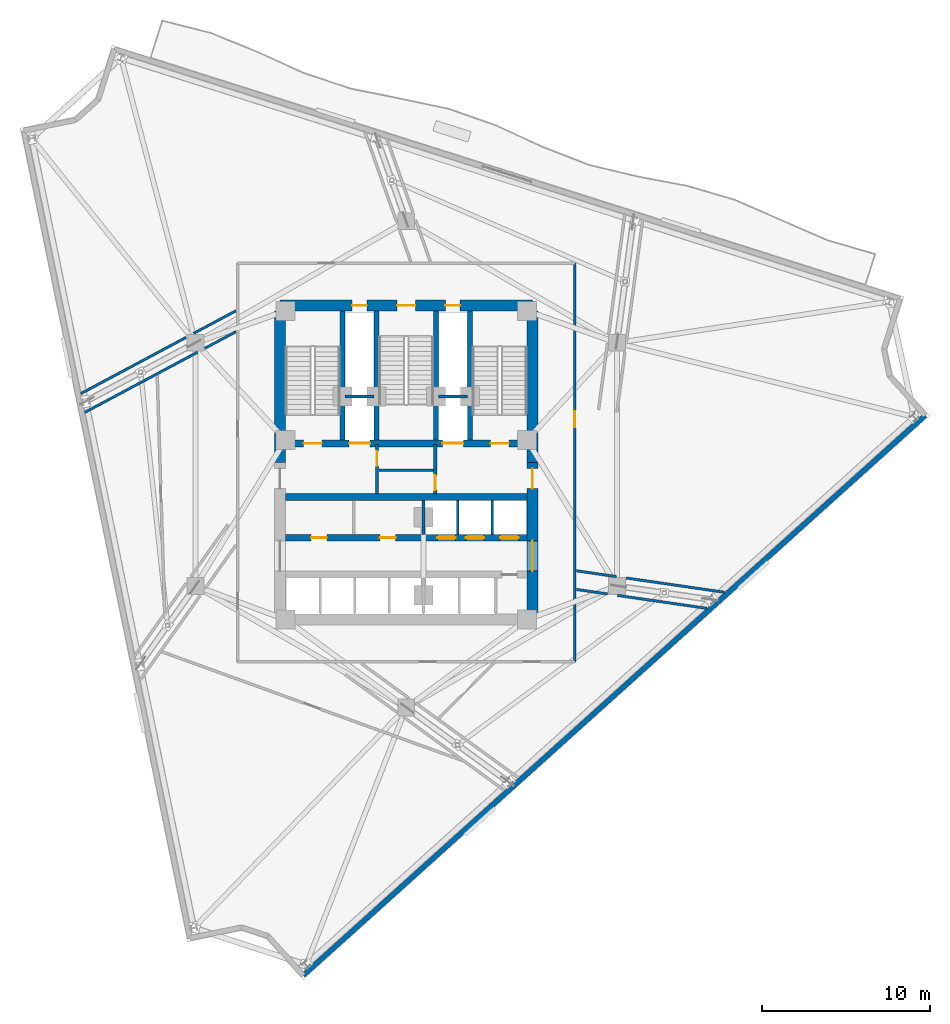
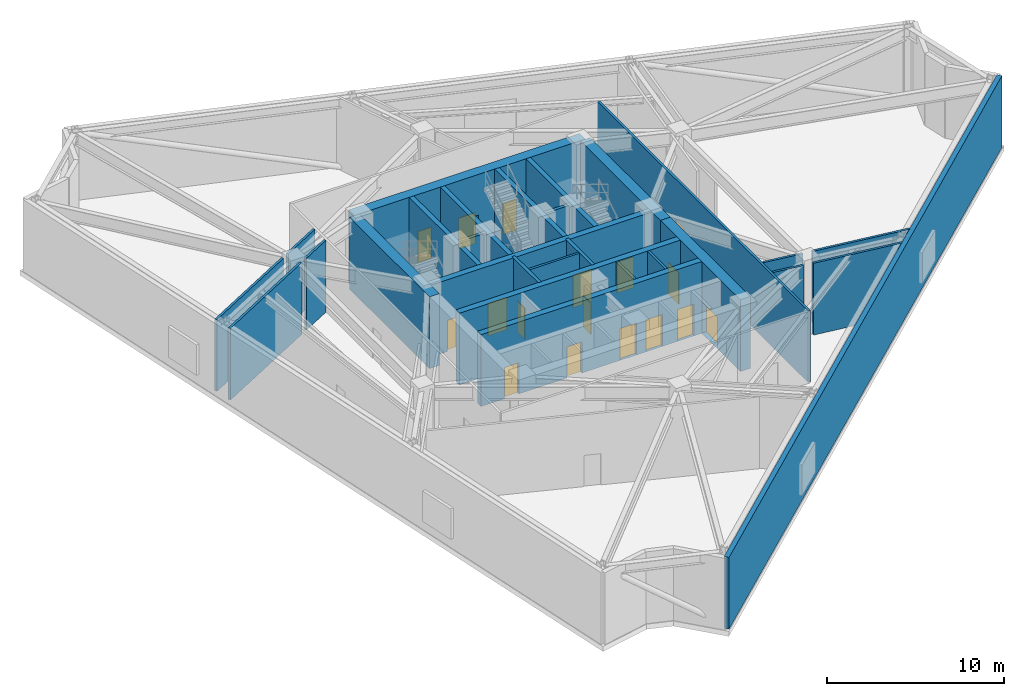
# One storey, part 12 of 16: 29 walls, 17 doors, 17 openings.
"""IFC4 building model written with IfcOpenShell, lengths in metres."""

import ifcopenshell
import ifcopenshell.guid

model = None  # the IFC model being written
_history = None  # IfcOwnerHistory: only IFC2X3 demands one
_inside = {}  # id of a spatial element -> (the spatial element, [elements in it])
_under = {}  # id of a project, library or spatial element -> (it, [spatial elements below it])
_declared = {}  # id of a project -> (the project, [libraries it declares])
_typed = {}  # id of a type object -> (the type object, [elements of that type])
_made_of = {}  # id of a material, layer set ... -> (it, [elements and type objects made of it])


def new_model(schema):
    """Start an empty IFC model of exactly this schema.

    Asked for "IFC4X3", IfcOpenShell would pick the latest addendum, in which some entities
    have other attributes; the version numbers below select the first issue.
    IFC2X3 requires an IfcOwnerHistory on every rooted entity: one is made here for all.
    """
    global model, _history
    if schema == "IFC4X3":
        model = ifcopenshell.file(schema_version=(4, 3, 0, 0))
    else:
        model = ifcopenshell.file(schema=schema)
    _inside.clear()
    _under.clear()
    _declared.clear()
    _typed.clear()
    _made_of.clear()
    _history = None
    if model.schema == "IFC2X3":
        org = make("IfcOrganization", Name="unknown")
        user = make(
            "IfcPersonAndOrganization",
            ThePerson=make("IfcPerson", FamilyName="unknown"),
            TheOrganization=org,
        )
        app = make(
            "IfcApplication",
            ApplicationDeveloper=org,
            Version="unknown",
            ApplicationFullName="unknown",
            ApplicationIdentifier="unknown",
        )
        _history = make(
            "IfcOwnerHistory",
            OwningUser=user,
            OwningApplication=app,
            ChangeAction="ADDED",
            CreationDate=0,
        )
    return model


def make(cls, **values):
    """One entity of the class cls with the attributes given. An attribute that is None is left unset."""
    return model.create_entity(
        cls, **{name: value for name, value in values.items() if value is not None}
    )


def rooted(cls, **values):
    """An entity with a GlobalId (a new one), such as an element, a storey or a relation."""
    return make(cls, GlobalId=ifcopenshell.guid.new(), OwnerHistory=_history, **values)


def si_unit(unit_type, name, prefix=None):
    """IfcSIUnit, for example si_unit("LENGTHUNIT", "METRE", prefix="MILLI")."""
    return make("IfcSIUnit", UnitType=unit_type, Prefix=prefix, Name=name)


def assignment(units):
    """IfcUnitAssignment: the units of a project."""
    return None if units is None else make("IfcUnitAssignment", Units=units)


def point(xyz):
    """IfcCartesianPoint."""
    return None if xyz is None else make("IfcCartesianPoint", Coordinates=xyz)


def direction(xyz):
    """IfcDirection."""
    return None if xyz is None else make("IfcDirection", DirectionRatios=xyz)


def frame(location, z_axis=None, x_axis=None):
    """IfcAxis2Placement3D, a coordinate frame: its origin and axes. An axis left out is left unset."""
    return make(
        "IfcAxis2Placement3D",
        Location=point(location),
        Axis=direction(z_axis),
        RefDirection=direction(x_axis),
    )


def frame_2d(location, x_axis=None):
    """IfcAxis2Placement2D, a coordinate frame in the plane: its origin and x axis."""
    return make(
        "IfcAxis2Placement2D", Location=point(location), RefDirection=direction(x_axis)
    )


def origin():
    """The frame at (0, 0, 0) with its axes left unset."""
    return frame((0.0, 0.0, 0.0))


def place(relative_to, where):
    """IfcLocalPlacement: puts the frame where relative to a parent placement (None: the world)."""
    return make(
        "IfcLocalPlacement", PlacementRelTo=relative_to, RelativePlacement=where
    )


def context(
    kind, dimensions, precision=None, world=None, true_north=None, identifier=None
):
    """IfcGeometricRepresentationContext, for example the 3D "Model" context."""
    return make(
        "IfcGeometricRepresentationContext",
        ContextIdentifier=identifier,
        ContextType=kind,
        CoordinateSpaceDimension=dimensions,
        Precision=precision,
        WorldCoordinateSystem=world,
        TrueNorth=true_north,
    )


def subcontext(parent, identifier, kind, view, scale=None):
    """IfcGeometricRepresentationSubContext, for example "Body" below "Model"."""
    return make(
        "IfcGeometricRepresentationSubContext",
        ContextIdentifier=identifier,
        ContextType=kind,
        ParentContext=parent,
        TargetScale=scale,
        TargetView=view,
    )


def project(units=None, contexts=None):
    """IfcProject with its units and contexts."""
    return rooted(
        "IfcProject",
        Name="project",
        RepresentationContexts=contexts,
        UnitsInContext=assignment(units),
    )


def spatial(cls, under=None, at=None, **own):
    """A site, building, storey or space (cls), placed at a placement, below another one or the project."""
    s = rooted(cls, ObjectPlacement=at, **own)
    if under is not None:
        _under.setdefault(under.id(), (under, []))[1].append(s)
    return s


def profile(cls, at=None, kind="AREA", **sizes):
    """A parametric profile (cls). Its sizes go by their IFC names, for example OverallWidth=200.0."""
    return make(cls, ProfileType=kind, Position=at, **sizes)


def rectangle(**sizes):
    """IfcRectangleProfileDef."""
    return profile("IfcRectangleProfileDef", **sizes)


def extrude(swept, where, along, depth):
    """IfcExtrudedAreaSolid: the profile swept, set in the frame where, extruded along a direction by depth."""
    return make(
        "IfcExtrudedAreaSolid",
        SweptArea=swept,
        Position=where,
        ExtrudedDirection=direction(along),
        Depth=depth,
    )


def shape(context_of_items, identifier, shape_type, items):
    """IfcShapeRepresentation: the items that make up one representation, for example the "Body"."""
    return make(
        "IfcShapeRepresentation",
        ContextOfItems=context_of_items,
        RepresentationIdentifier=identifier,
        RepresentationType=shape_type,
        Items=items,
    )


def material(Name=None, Category=None):
    """IfcMaterial."""
    return make("IfcMaterial", Name=Name, Category=Category)


def layer(
    of_material, thickness, ventilated=None, Name=None, Category=None, Priority=None
):
    """IfcMaterialLayer: one layer of a wall or slab, of a material (None: an air gap)."""
    return make(
        "IfcMaterialLayer",
        Material=of_material,
        LayerThickness=thickness,
        IsVentilated=ventilated,
        Name=Name,
        Category=Category,
        Priority=Priority,
    )


def layer_set(layers, Name=None):
    """IfcMaterialLayerSet."""
    return make("IfcMaterialLayerSet", MaterialLayers=layers, LayerSetName=Name)


def made_of(thing, what):
    """Note that an element or type object is made of a material, layer set ...; save() writes the relation."""
    if what is not None:
        _made_of.setdefault(what.id(), (what, []))[1].append(thing)
    return thing


def type_object(cls, material=None, **own):
    """A type object (cls), such as IfcWallType, which elements share."""
    return made_of(rooted(cls, **own), material)


def element(
    cls,
    number,
    at=None,
    inside=None,
    cuts=None,
    type_object=None,
    material=None,
    context=None,
    identifier="Body",
    shape_type=None,
    held_by="IfcProductDefinitionShape",
    body=None,
    shapes=None,
    **own,
):
    """One element of the class cls, such as IfcWall. Its Tag is "e" and its number.

    at: its placement. inside: the storey or other place that contains it. cuts: it is an
    opening in that element (IfcRelVoidsElement). A single representation is given by context,
    identifier, shape_type and body (its items); several are given by shapes. held_by: the class
    of the entity that holds the representations. save() writes the other relations.
    """
    e = rooted(cls, Tag="e%d" % number, ObjectPlacement=at, **own)
    if body is not None:
        shapes = [shape(context, identifier, shape_type, body)]
    if shapes is not None:
        e.Representation = make(held_by, Representations=shapes)
    if inside is not None:
        _inside.setdefault(inside.id(), (inside, []))[1].append(e)
    if cuts is not None:
        rooted(
            "IfcRelVoidsElement", RelatingBuildingElement=cuts, RelatedOpeningElement=e
        )
    if type_object is not None:
        _typed.setdefault(type_object.id(), (type_object, []))[1].append(e)
    return made_of(e, material)


def fill(opening, filler):
    """IfcRelFillsElement: the door or window that sits in an opening."""
    return rooted(
        "IfcRelFillsElement",
        RelatingOpeningElement=opening,
        RelatedBuildingElement=filler,
    )


def aggregate(whole, parts):
    """IfcRelAggregates: a whole, such as a stair, and the parts it consists of."""
    return rooted("IfcRelAggregates", RelatingObject=whole, RelatedObjects=parts)


def save(model, path):
    """Write the relations noted so far, then the file.

    IfcRelAggregates (storeys below a building ...), IfcRelContainedInSpatialStructure (elements
    in a storey), IfcRelDefinesByType, IfcRelAssociatesMaterial and IfcRelDeclares: one each for
    every whole, place, type object, material and project.
    """
    for whole, parts in _under.values():
        aggregate(whole, parts)
    for where, things in _inside.values():
        rooted(
            "IfcRelContainedInSpatialStructure",
            RelatedElements=things,
            RelatingStructure=where,
        )
    for kind, things in _typed.values():
        rooted("IfcRelDefinesByType", RelatedObjects=things, RelatingType=kind)
    for what, things in _made_of.values():
        rooted("IfcRelAssociatesMaterial", RelatedObjects=things, RelatingMaterial=what)
    for by, libraries in _declared.values():
        rooted("IfcRelDeclares", RelatingContext=by, RelatedDefinitions=libraries)
    model.write(path)


model = new_model("IFC4")

# Units and contexts
model_context = context("Model", 3, precision=1e-05, world=origin(), true_north=direction((0.0, 1.0)))
body_context = subcontext(model_context, "Body", "Model", "MODEL_VIEW")
ifc_project = project(units=[si_unit("LENGTHUNIT", "METRE"), si_unit("AREAUNIT", "SQUARE_METRE"), si_unit("VOLUMEUNIT", "CUBIC_METRE"), si_unit("PLANEANGLEUNIT", "RADIAN"), si_unit("MASSUNIT", "GRAM", prefix="KILO")], contexts=[model_context])

# Site, building, storey
site_placement = place(None, origin())
site = spatial("IfcSite", under=ifc_project, at=site_placement, CompositionType="ELEMENT")
building_placement = place(site_placement, origin())
building = spatial("IfcBuilding", under=site, at=building_placement, Name="Apsidion Concourse Tower", CompositionType="ELEMENT")
storey_placement = place(building_placement, frame((0.0, 0.0, 227.0)))
storey = spatial("IfcBuildingStorey", under=building, at=storey_placement, Name="L53", CompositionType="ELEMENT", Elevation=227.0)

# Walls
ifc_material_1 = material(Name="Precast concrete C40/50", Category="concrete")
ifc_layer_1 = layer(ifc_material_1, 0.300048828125)
ifc_layer_set_1 = layer_set([ifc_layer_1], Name="Precast concrete C40/50")
wall_type_1 = type_object("IfcWallType", Name="WL-EXT-300", PredefinedType="STANDARD", material=ifc_layer_set_1)
wall_1_placement = place(storey_placement, frame((30.9345703125, 2.915771484375, 0.0), z_axis=(0.0, 0.0, 1.0), x_axis=(-0.743143233829, -0.66913237406, 0.0)))
element("IfcWall", 1, at=wall_1_placement, inside=storey, type_object=wall_type_1, Name="L53 Precast Stone Facade Wall 05", PredefinedType="STANDARD", context=body_context, shape_type="SweptSolid", body=[
    extrude(rectangle(XDim=49.8798828125, YDim=0.300048828125, at=frame_2d((24.93994140625, 0.0))), origin(), (0.0, 0.0, 1.0), 4.949951171875),
])
ifc_material_2 = material(Name="Gypsum plasterboard partition")
ifc_layer_2 = layer(ifc_material_2, 0.14990234375)
ifc_layer_set_2 = layer_set([ifc_layer_2], Name="Gypsum plasterboard partition")
wall_type_2 = type_object("IfcWallType", Name="WL-INT-PAR-150", PredefinedType="PARTITIONING", material=ifc_layer_set_2)
for number, where, z_axis, x_axis, name in (
    (2, (3.074951171875, -4.179931640625, 0.0), (0.0, 0.0, 1.0), (0.0, 1.0, 0.0), "L53 Interior Partition WL-L53-B3DIV-1"),
    (3, (5.125, -4.179931640625, 0.0), (0.0, 0.0, 1.0), (0.0, 1.0, 0.0), "L53 Interior Partition WL-L53-B3DIV-2"),
):
    element("IfcWall", number, at=place(storey_placement, frame(where, z_axis=z_axis, x_axis=x_axis)), inside=storey, type_object=wall_type_2, Name=name, PredefinedType="PARTITIONING", context=body_context, shape_type="SweptSolid", body=[
        extrude(rectangle(XDim=2.030029296875, YDim=0.14990234375, at=frame_2d((1.01513671875, 0.0))), origin(), (0.0, 0.0, 1.0), 4.949951171875),
    ])
wall_2_placement = place(storey_placement, frame((-1.6298828125, -0.35009765625, 0.0), z_axis=(0.0, 0.0, 1.0), x_axis=(1.0, 0.0, 0.0)))
element("IfcWall", 4, at=wall_2_placement, inside=storey, type_object=wall_type_2, Name="L53 Interior Partition WL-L53-K2H", PredefinedType="PARTITIONING", context=body_context, shape_type="SweptSolid", body=[
    extrude(rectangle(XDim=3.259765625, YDim=0.14990234375, at=frame_2d((1.6298828125, 0.0))), origin(), (0.0, 0.0, 1.0), 4.949951171875),
])

# Wall, opening, door
wall_3_placement = place(storey_placement, frame((10.050048828125, 12.0, 0.0), z_axis=(0.0, 0.0, 1.0), x_axis=(0.0, -1.0, 0.0)))
wall_3 = element("IfcWall", 5, at=wall_3_placement, inside=storey, type_object=wall_type_2, Name="L53 Interior Partition WL-L53-CORR-02", PredefinedType="PARTITIONING", context=body_context, shape_type="SweptSolid", body=[
    extrude(rectangle(XDim=23.77490234375, YDim=0.14990234375, at=frame_2d((11.887451171875, 0.0))), origin(), (0.0, 0.0, 1.0), 4.949951171875),
])
opening_1_placement = place(wall_3_placement, frame((8.82568359375, 0.0, 0.0)))
opening_1 = element("IfcOpeningElement", 6, at=opening_1_placement, cuts=wall_3, Name="Opening D-01L", PredefinedType="OPENING", context=body_context, shape_type="SweptSolid", body=[
    extrude(rectangle(XDim=0.949951171875, YDim=2.14990234375, at=frame_2d((0.47509765625, 1.074951171875))), frame((0.0, 0.0849609375, 0.0), z_axis=(0.0, -1.0, 0.0), x_axis=(1.0, 0.0, 0.0)), (0.0, 0.0, 1.0), 0.169921875),
])
ifc_material_3 = material(Name="Brushed stainless steel 316", Category="steel")
door_type_1 = type_object("IfcDoorType", Name="DR-INT-D01L", OperationType="SINGLE_SWING_LEFT", PredefinedType="DOOR", material=ifc_material_3)
door_1_placement = place(opening_1_placement, origin())
door_1 = element("IfcDoor", 7, at=door_1_placement, inside=storey, type_object=door_type_1, Name="L53 Corridor Entry Door 01", OperationType="SINGLE_SWING_LEFT", OverallHeight=2.14990234375, OverallWidth=0.949951171875, PredefinedType="DOOR", context=body_context, shape_type="SweptSolid", body=[
    extrude(rectangle(XDim=0.949951171875, YDim=2.14990234375, at=frame_2d((0.47509765625, 1.074951171875))), frame((0.0, 0.02490234375, 0.0), z_axis=(0.0, -1.0, 0.0), x_axis=(1.0, 0.0, 0.0)), (0.0, 0.0, 1.0), 0.050048828125),
])
fill(opening_1, door_1)

# Walls
wall_4_placement = place(storey_placement, frame((10.155029296875, -7.45703125, 0.0), z_axis=(0.0, 0.0, 1.0), x_axis=(0.989646046066, -0.143529451699, 0.0)))
element("IfcWall", 8, at=wall_4_placement, inside=storey, type_object=wall_type_2, Name="L53 Interior Partition WL-L53-OTW-02-1-1", PredefinedType="PARTITIONING", context=body_context, shape_type="SweptSolid", body=[
    extrude(rectangle(XDim=1.8642578125, YDim=0.14990234375, at=frame_2d((0.93212890625, 0.0))), origin(), (0.0, 0.0, 1.0), 4.949951171875),
])
wall_5_placement = place(storey_placement, frame((12.589111328125, -7.81005859375, 0.0), z_axis=(0.0, 0.0, 1.0), x_axis=(0.989648935922, -0.143509524521, 0.0)))
element("IfcWall", 9, at=wall_5_placement, inside=storey, type_object=wall_type_2, Name="L53 Interior Partition WL-L53-OTW-02-1-2", PredefinedType="PARTITIONING", context=body_context, shape_type="SweptSolid", body=[
    extrude(rectangle(XDim=5.38427734375, YDim=0.14990234375, at=frame_2d((2.692138671875, 0.0))), origin(), (0.0, 0.0, 1.0), 4.949951171875),
])
wall_6_placement = place(storey_placement, frame((10.155029296875, -6.345703125, 0.0), z_axis=(0.0, 0.0, 1.0), x_axis=(0.989662691314, -0.14341463461, 0.0)))
element("IfcWall", 10, at=wall_6_placement, inside=storey, type_object=wall_type_2, Name="L53 Interior Partition WL-L53-OTW-02-2-1", PredefinedType="PARTITIONING", context=body_context, shape_type="SweptSolid", body=[
    extrude(rectangle(XDim=2.400390625, YDim=0.14990234375, at=frame_2d((1.2001953125, 0.0))), origin(), (0.0, 0.0, 1.0), 4.949951171875),
])
wall_7_placement = place(storey_placement, frame((13.1201171875, -6.775390625, 0.0), z_axis=(0.0, 0.0, 1.0), x_axis=(0.989649655909, -0.143504559369, 0.0)))
element("IfcWall", 11, at=wall_7_placement, inside=storey, type_object=wall_type_2, Name="L53 Interior Partition WL-L53-OTW-02-2-2", PredefinedType="PARTITIONING", context=body_context, shape_type="SweptSolid", body=[
    extrude(rectangle(XDim=5.922119140625, YDim=0.14990234375, at=frame_2d((2.9609375, 0.0))), origin(), (0.0, 0.0, 1.0), 4.949951171875),
])
wall_8_placement = place(storey_placement, frame((-10.155029296875, 9.157470703125, 0.0), z_axis=(0.0, 0.0, 1.0), x_axis=(-0.882161535743, -0.470946944841, 0.0)))
element("IfcWall", 12, at=wall_8_placement, inside=storey, type_object=wall_type_2, Name="L53 Interior Partition WL-L53-OTW-05-1-1", PredefinedType="PARTITIONING", context=body_context, shape_type="SweptSolid", body=[
    extrude(rectangle(XDim=2.861083984375, YDim=0.14990234375, at=frame_2d((1.4306640625, 0.0))), origin(), (0.0, 0.0, 1.0), 4.949951171875),
])
wall_9_placement = place(storey_placement, frame((-13.1201171875, 7.574462890625, 0.0), z_axis=(0.0, 0.0, 1.0), x_axis=(-0.882138305837, -0.470990455715, 0.0)))
element("IfcWall", 13, at=wall_9_placement, inside=storey, type_object=wall_type_2, Name="L53 Interior Partition WL-L53-OTW-05-1-2", PredefinedType="PARTITIONING", context=body_context, shape_type="SweptSolid", body=[
    extrude(rectangle(XDim=7.119140625, YDim=0.14990234375, at=frame_2d((3.5595703125, 0.0))), origin(), (0.0, 0.0, 1.0), 4.949951171875),
])
wall_10_placement = place(storey_placement, frame((-10.155029296875, 7.910400390625, 0.0), z_axis=(0.0, 0.0, 1.0), x_axis=(-0.882178381535, -0.470915388529, 0.0)))
element("IfcWall", 14, at=wall_10_placement, inside=storey, type_object=wall_type_2, Name="L53 Interior Partition WL-L53-OTW-05-2-1", PredefinedType="PARTITIONING", context=body_context, shape_type="SweptSolid", body=[
    extrude(rectangle(XDim=2.09130859375, YDim=0.14990234375, at=frame_2d((1.045654296875, 0.0))), origin(), (0.0, 0.0, 1.0), 4.949951171875),
])
wall_11_placement = place(storey_placement, frame((-12.441162109375, 6.68994140625, 0.0), z_axis=(0.0, 0.0, 1.0), x_axis=(-0.882148167076, -0.47097198571, 0.0)))
element("IfcWall", 15, at=wall_11_placement, inside=storey, type_object=wall_type_2, Name="L53 Interior Partition WL-L53-OTW-05-2-2", PredefinedType="PARTITIONING", context=body_context, shape_type="SweptSolid", body=[
    extrude(rectangle(XDim=7.626953125, YDim=0.14990234375, at=frame_2d((3.8134765625, 0.0))), origin(), (0.0, 0.0, 1.0), 4.949951171875),
])
ifc_layer_3 = layer(ifc_material_2, 0.179931640625)
ifc_layer_set_3 = layer_set([ifc_layer_3], Name="Gypsum plasterboard partition")
wall_type_3 = type_object("IfcWallType", Name="WL-INT-PAR-180", PredefinedType="PARTITIONING", material=ifc_layer_set_3)
wall_12_placement = place(storey_placement, frame((1.02490234375, -4.179931640625, 0.0), z_axis=(0.0, 0.0, 1.0), x_axis=(0.0, 1.0, 0.0)))
element("IfcWall", 16, at=wall_12_placement, inside=storey, type_object=wall_type_3, Name="L53 Interior Partition WL-L53-B1END", PredefinedType="PARTITIONING", context=body_context, shape_type="SweptSolid", body=[
    extrude(rectangle(XDim=2.030029296875, YDim=0.179931640625, at=frame_2d((1.01513671875, 0.0))), origin(), (0.0, 0.0, 1.0), 3.998046875),
])
ifc_layer_4 = layer(ifc_material_2, 0.199951171875)
ifc_layer_set_4 = layer_set([ifc_layer_4], Name="Gypsum plasterboard partition")
wall_type_4 = type_object("IfcWallType", Name="WL-INT-PAR-200", PredefinedType="PARTITIONING", material=ifc_layer_set_4)
for number, where, z_axis, x_axis, name in (
    (17, (-3.64990234375, 4.050048828125, 0.0), (0.0, 0.0, 1.0), (1.0, 0.0, 0.0), "L53 Interior Partition WL-L53-FF1-N"),
    (18, (1.919921875, 4.050048828125, 0.0), (0.0, 0.0, 1.0), (1.0, 0.0, 0.0), "L53 Interior Partition WL-L53-FF2-N"),
):
    element("IfcWall", number, at=place(storey_placement, frame(where, z_axis=z_axis, x_axis=x_axis)), inside=storey, type_object=wall_type_4, Name=name, PredefinedType="PARTITIONING", context=body_context, shape_type="SweptSolid", body=[
        extrude(rectangle(XDim=1.72998046875, YDim=0.199951171875, at=frame_2d((0.864990234375, 0.0))), origin(), (0.0, 0.0, 1.0), 4.949951171875),
    ])

# Wall, opening, door
wall_13_placement = place(storey_placement, frame((-1.739990234375, -1.780029296875, 0.0), z_axis=(0.0, 0.0, 1.0), x_axis=(0.0, 1.0, 0.0)))
wall_13 = element("IfcWall", 19, at=wall_13_placement, inside=storey, type_object=wall_type_4, Name="L53 Interior Partition WL-L53-FF1-E", PredefinedType="PARTITIONING", context=body_context, shape_type="SweptSolid", body=[
    extrude(rectangle(XDim=2.97998046875, YDim=0.199951171875, at=frame_2d((1.489990234375, 0.0))), origin(), (0.0, 0.0, 1.0), 4.949951171875),
])
opening_2_placement = place(wall_13_placement, frame((1.68994140625, 0.0, 0.0)))
opening_2 = element("IfcOpeningElement", 20, at=opening_2_placement, cuts=wall_13, Name="Opening D-05L", PredefinedType="OPENING", context=body_context, shape_type="SweptSolid", body=[
    extrude(rectangle(XDim=0.8798828125, YDim=2.14990234375, at=frame_2d((0.43994140625, 1.074951171875))), frame((0.0, 0.10986328125, 0.0), z_axis=(0.0, -1.0, 0.0), x_axis=(1.0, 0.0, 0.0)), (0.0, 0.0, 1.0), 0.219970703125),
])
door_type_2 = type_object("IfcDoorType", Name="DR-INT-D05L", OperationType="SINGLE_SWING_LEFT", PredefinedType="DOOR", material=ifc_material_3)
door_2_placement = place(opening_2_placement, origin())
door_2 = element("IfcDoor", 21, at=door_2_placement, inside=storey, type_object=door_type_2, Name="L53 Core Staff WC Door", OperationType="SINGLE_SWING_LEFT", OverallHeight=2.14990234375, OverallWidth=0.8798828125, PredefinedType="DOOR", context=body_context, shape_type="SweptSolid", body=[
    extrude(rectangle(XDim=0.8798828125, YDim=2.14990234375, at=frame_2d((0.43994140625, 1.074951171875))), frame((0.0, 0.02490234375, 0.0), z_axis=(0.0, -1.0, 0.0), x_axis=(1.0, 0.0, 0.0)), (0.0, 0.0, 1.0), 0.050048828125),
])
fill(opening_2, door_2)

wall_14_placement = place(storey_placement, frame((1.739990234375, -1.780029296875, 0.0), z_axis=(0.0, 0.0, 1.0), x_axis=(0.0, 1.0, 0.0)))
wall_14 = element("IfcWall", 22, at=wall_14_placement, inside=storey, type_object=wall_type_4, Name="L53 Interior Partition WL-L53-FF2-W", PredefinedType="PARTITIONING", context=body_context, shape_type="SweptSolid", body=[
    extrude(rectangle(XDim=2.97998046875, YDim=0.199951171875, at=frame_2d((1.489990234375, 0.0))), origin(), (0.0, 0.0, 1.0), 4.949951171875),
])
opening_3_placement = place(wall_14_placement, frame((0.239990234375, 0.0, 0.0)))
opening_3 = element("IfcOpeningElement", 23, at=opening_3_placement, cuts=wall_14, Name="Opening D-05R", PredefinedType="OPENING", context=body_context, shape_type="SweptSolid", body=[
    extrude(rectangle(XDim=0.8798828125, YDim=2.14990234375, at=frame_2d((0.43994140625, 1.074951171875))), frame((0.0, 0.10986328125, 0.0), z_axis=(0.0, -1.0, 0.0), x_axis=(1.0, 0.0, 0.0)), (0.0, 0.0, 1.0), 0.219970703125),
])
door_type_3 = type_object("IfcDoorType", Name="DR-INT-D05R", OperationType="SINGLE_SWING_RIGHT", PredefinedType="DOOR", material=ifc_material_3)
door_3_placement = place(opening_3_placement, origin())
door_3 = element("IfcDoor", 24, at=door_3_placement, inside=storey, type_object=door_type_3, Name="L53 Core Supply Store Door", OperationType="SINGLE_SWING_RIGHT", OverallHeight=2.14990234375, OverallWidth=0.8798828125, PredefinedType="DOOR", context=body_context, shape_type="SweptSolid", body=[
    extrude(rectangle(XDim=0.8798828125, YDim=2.14990234375, at=frame_2d((0.43994140625, 1.074951171875))), frame((0.0, 0.02490234375, 0.0), z_axis=(0.0, -1.0, 0.0), x_axis=(1.0, 0.0, 0.0)), (0.0, 0.0, 1.0), 0.050048828125),
])
fill(opening_3, door_3)

# Walls
ifc_material_4 = material(Name="Concrete C50/60", Category="concrete")
ifc_layer_5 = layer(ifc_material_4, 0.300048828125)
ifc_layer_set_5 = layer_set([ifc_layer_5], Name="Concrete C50/60")
wall_type_5 = type_object("IfcWallType", Name="WL-SH-300", PredefinedType="SHEAR", material=ifc_layer_set_5)
for number, where, z_axis, x_axis, name in (
    (25, (-3.800048828125, 1.449951171875, 0.0), (0.0, 0.0, 1.0), (0.0, 1.0, 0.0), "L53 Central Core Shear Wall V1"),
    (26, (-1.77490234375, 1.449951171875, 0.0), (0.0, 0.0, 1.0), (0.0, 1.0, 0.0), "L53 Central Core Shear Wall V2"),
    (27, (1.77490234375, 1.449951171875, 0.0), (0.0, 0.0, 1.0), (0.0, 1.0, 0.0), "L53 Central Core Shear Wall V3"),
    (28, (3.800048828125, 1.449951171875, 0.0), (0.0, 0.0, 1.0), (0.0, 1.0, 0.0), "L53 Central Core Shear Wall V4"),
):
    element("IfcWall", number, at=place(storey_placement, frame(where, z_axis=z_axis, x_axis=x_axis)), inside=storey, type_object=wall_type_5, Name=name, PredefinedType="SHEAR", context=body_context, shape_type="SweptSolid", body=[
        extrude(rectangle(XDim=7.699951171875, YDim=0.300048828125, at=frame_2d((3.85009765625, 0.0))), origin(), (0.0, 0.0, 1.0), 4.949951171875),
    ])

# Wall, openings, doors
ifc_layer_6 = layer(ifc_material_4, 0.39990234375)
ifc_layer_set_6 = layer_set([ifc_layer_6], Name="Concrete C50/60")
wall_type_6 = type_object("IfcWallType", Name="WL-SH-400", PredefinedType="SHEAR", material=ifc_layer_set_6)
wall_15_placement = place(storey_placement, frame((-7.199951171875, 1.25, 0.0), z_axis=(0.0, 0.0, 1.0), x_axis=(1.0, 0.0, 0.0)))
wall_15 = element("IfcWall", 29, at=wall_15_placement, inside=storey, type_object=wall_type_6, Name="L53 Central Core Shear Wall M1", PredefinedType="SHEAR", context=body_context, shape_type="SweptSolid", body=[
    extrude(rectangle(XDim=14.39990234375, YDim=0.39990234375, at=frame_2d((7.199951171875, 0.0))), origin(), (0.0, 0.0, 1.0), 4.949951171875),
])
opening_4_placement = place(wall_15_placement, frame((3.794921875, 0.0, 0.0)))
opening_4 = element("IfcOpeningElement", 30, at=opening_4_placement, cuts=wall_15, Name="Opening LD-FF", PredefinedType="OPENING", context=body_context, shape_type="SweptSolid", body=[
    extrude(rectangle(XDim=1.25, YDim=2.25, at=frame_2d((0.625, 1.125))), frame((0.0, 0.2099609375, 0.0), z_axis=(0.0, -1.0, 0.0), x_axis=(1.0, 0.0, 0.0)), (0.0, 0.0, 1.0), 0.419921875),
])
opening_5_placement = place(wall_15_placement, frame((9.35498046875, 0.0, 0.0)))
opening_5 = element("IfcOpeningElement", 31, at=opening_5_placement, cuts=wall_15, Name="Opening LD-FF", PredefinedType="OPENING", context=body_context, shape_type="SweptSolid", body=[
    extrude(rectangle(XDim=1.25, YDim=2.25, at=frame_2d((0.625, 1.125))), frame((0.0, 0.2099609375, 0.0), z_axis=(0.0, -1.0, 0.0), x_axis=(1.0, 0.0, 0.0)), (0.0, 0.0, 1.0), 0.419921875),
])
opening_6_placement = place(wall_15_placement, frame((1.074951171875, 0.0, 0.0)))
opening_6 = element("IfcOpeningElement", 32, at=opening_6_placement, cuts=wall_15, Name="Opening D-STL", PredefinedType="OPENING", context=body_context, shape_type="SweptSolid", body=[
    extrude(rectangle(XDim=1.10009765625, YDim=2.14990234375, at=frame_2d((0.550048828125, 1.074951171875))), frame((0.0, 0.2099609375, 0.0), z_axis=(0.0, -1.0, 0.0), x_axis=(1.0, 0.0, 0.0)), (0.0, 0.0, 1.0), 0.419921875),
])
opening_7_placement = place(wall_15_placement, frame((12.22509765625, 0.0, 0.0)))
opening_7 = element("IfcOpeningElement", 33, at=opening_7_placement, cuts=wall_15, Name="Opening D-STR", PredefinedType="OPENING", context=body_context, shape_type="SweptSolid", body=[
    extrude(rectangle(XDim=1.10009765625, YDim=2.14990234375, at=frame_2d((0.550048828125, 1.074951171875))), frame((0.0, 0.2099609375, 0.0), z_axis=(0.0, -1.0, 0.0), x_axis=(1.0, 0.0, 0.0)), (0.0, 0.0, 1.0), 0.419921875),
])
door_type_4 = type_object("IfcDoorType", Name="DR-INT-ST1L", OperationType="SINGLE_SWING_LEFT", PredefinedType="DOOR", material=ifc_material_3)
door_4_placement = place(opening_6_placement, origin())
door_4 = element("IfcDoor", 34, at=door_4_placement, inside=storey, type_object=door_type_4, Name="L53 Core Exit Stair ST1 Door", OperationType="SINGLE_SWING_LEFT", OverallHeight=2.14990234375, OverallWidth=1.10009765625, PredefinedType="DOOR", context=body_context, shape_type="SweptSolid", body=[
    extrude(rectangle(XDim=1.10009765625, YDim=2.14990234375, at=frame_2d((0.550048828125, 1.074951171875))), frame((0.0, 0.02490234375, 0.0), z_axis=(0.0, -1.0, 0.0), x_axis=(1.0, 0.0, 0.0)), (0.0, 0.0, 1.0), 0.050048828125),
])
fill(opening_6, door_4)
door_type_5 = type_object("IfcDoorType", Name="DR-INT-ST1R", OperationType="SINGLE_SWING_RIGHT", PredefinedType="DOOR", material=ifc_material_3)
door_5_placement = place(opening_7_placement, origin())
door_5 = element("IfcDoor", 35, at=door_5_placement, inside=storey, type_object=door_type_5, Name="L53 Core Exit Stair ST2 Door", OperationType="SINGLE_SWING_RIGHT", OverallHeight=2.14990234375, OverallWidth=1.10009765625, PredefinedType="DOOR", context=body_context, shape_type="SweptSolid", body=[
    extrude(rectangle(XDim=1.10009765625, YDim=2.14990234375, at=frame_2d((0.550048828125, 1.074951171875))), frame((0.0, 0.02490234375, 0.0), z_axis=(0.0, -1.0, 0.0), x_axis=(1.0, 0.0, 0.0)), (0.0, 0.0, 1.0), 0.050048828125),
])
fill(opening_7, door_5)
door_type_6 = type_object("IfcDoorType", Name="DR-LD-FSAE", OperationType="DOUBLE_DOOR_SLIDING", PredefinedType="DOOR", material=ifc_material_3)
door_6_placement = place(opening_4_placement, origin())
door_6 = element("IfcDoor", 36, at=door_6_placement, inside=storey, type_object=door_type_6, Name="L53 Lift Landing Door FF1", OperationType="DOUBLE_DOOR_SLIDING", OverallHeight=2.25, OverallWidth=1.25, PredefinedType="DOOR", context=body_context, shape_type="SweptSolid", body=[
    extrude(rectangle(XDim=1.25, YDim=2.25, at=frame_2d((0.625, 1.125))), frame((0.0, 0.02490234375, 0.0), z_axis=(0.0, -1.0, 0.0), x_axis=(1.0, 0.0, 0.0)), (0.0, 0.0, 1.0), 0.050048828125),
])
fill(opening_4, door_6)
door_7_placement = place(opening_5_placement, origin())
door_7 = element("IfcDoor", 37, at=door_7_placement, inside=storey, type_object=door_type_6, Name="L53 Lift Landing Door FF2", OperationType="DOUBLE_DOOR_SLIDING", OverallHeight=2.25, OverallWidth=1.25, PredefinedType="DOOR", context=body_context, shape_type="SweptSolid", body=[
    extrude(rectangle(XDim=1.25, YDim=2.25, at=frame_2d((0.625, 1.125))), frame((0.0, 0.02490234375, 0.0), z_axis=(0.0, -1.0, 0.0), x_axis=(1.0, 0.0, 0.0)), (0.0, 0.0, 1.0), 0.050048828125),
])
fill(opening_5, door_7)

# Wall
wall_16_placement = place(storey_placement, frame((-7.199951171875, -1.949951171875, 0.0), z_axis=(0.0, 0.0, 1.0), x_axis=(1.0, 0.0, 0.0)))
element("IfcWall", 38, at=wall_16_placement, inside=storey, type_object=wall_type_6, Name="L53 Central Core Shear Wall M2", PredefinedType="SHEAR", context=body_context, shape_type="SweptSolid", body=[
    extrude(rectangle(XDim=14.39990234375, YDim=0.39990234375, at=frame_2d((7.199951171875, 0.0))), origin(), (0.0, 0.0, 1.0), 4.949951171875),
])

# Wall, openings, doors
wall_17_placement = place(storey_placement, frame((-7.199951171875, -4.3798828125, 0.0), z_axis=(0.0, 0.0, 1.0), x_axis=(1.0, 0.0, 0.0)))
wall_17 = element("IfcWall", 39, at=wall_17_placement, inside=storey, type_object=wall_type_6, Name="L53 Central Core Shear Wall LA", PredefinedType="SHEAR", context=body_context, shape_type="SweptSolid", body=[
    extrude(rectangle(XDim=14.39990234375, YDim=0.39990234375, at=frame_2d((7.199951171875, 0.0))), origin(), (0.0, 0.0, 1.0), 4.949951171875),
])
opening_8_placement = place(wall_17_placement, frame((9.050048828125, 0.0, 0.0)))
opening_8 = element("IfcOpeningElement", 40, at=opening_8_placement, cuts=wall_17, Name="Opening LD-P1", PredefinedType="OPENING", context=body_context, shape_type="SweptSolid", body=[
    extrude(rectangle(XDim=1.10009765625, YDim=2.199951171875, at=frame_2d((0.550048828125, 1.10009765625))), frame((0.0, 0.2099609375, 0.0), z_axis=(0.0, -1.0, 0.0), x_axis=(1.0, 0.0, 0.0)), (0.0, 0.0, 1.0), 0.419921875),
])
opening_9_placement = place(wall_17_placement, frame((10.75, 0.0, 0.0)))
opening_9 = element("IfcOpeningElement", 41, at=opening_9_placement, cuts=wall_17, Name="Opening LD-P1", PredefinedType="OPENING", context=body_context, shape_type="SweptSolid", body=[
    extrude(rectangle(XDim=1.10009765625, YDim=2.199951171875, at=frame_2d((0.550048828125, 1.10009765625))), frame((0.0, 0.2099609375, 0.0), z_axis=(0.0, -1.0, 0.0), x_axis=(1.0, 0.0, 0.0)), (0.0, 0.0, 1.0), 0.419921875),
])
opening_10_placement = place(wall_17_placement, frame((12.800048828125, 0.0, 0.0)))
opening_10 = element("IfcOpeningElement", 42, at=opening_10_placement, cuts=wall_17, Name="Opening LD-P1", PredefinedType="OPENING", context=body_context, shape_type="SweptSolid", body=[
    extrude(rectangle(XDim=1.10009765625, YDim=2.199951171875, at=frame_2d((0.550048828125, 1.10009765625))), frame((0.0, 0.2099609375, 0.0), z_axis=(0.0, -1.0, 0.0), x_axis=(1.0, 0.0, 0.0)), (0.0, 0.0, 1.0), 0.419921875),
])
opening_11_placement = place(wall_17_placement, frame((1.52490234375, 0.0, 0.0)))
opening_11 = element("IfcOpeningElement", 43, at=opening_11_placement, cuts=wall_17, Name="Opening D-04L", PredefinedType="OPENING", context=body_context, shape_type="SweptSolid", body=[
    extrude(rectangle(XDim=0.949951171875, YDim=2.14990234375, at=frame_2d((0.47509765625, 1.074951171875))), frame((0.0, 0.2099609375, 0.0), z_axis=(0.0, -1.0, 0.0), x_axis=(1.0, 0.0, 0.0)), (0.0, 0.0, 1.0), 0.419921875),
])
opening_12_placement = place(wall_17_placement, frame((5.625, 0.0, 0.0)))
opening_12 = element("IfcOpeningElement", 44, at=opening_12_placement, cuts=wall_17, Name="Opening D-04R", PredefinedType="OPENING", context=body_context, shape_type="SweptSolid", body=[
    extrude(rectangle(XDim=0.949951171875, YDim=2.14990234375, at=frame_2d((0.47509765625, 1.074951171875))), frame((0.0, 0.2099609375, 0.0), z_axis=(0.0, -1.0, 0.0), x_axis=(1.0, 0.0, 0.0)), (0.0, 0.0, 1.0), 0.419921875),
])
door_type_7 = type_object("IfcDoorType", Name="DR-INT-D04L", OperationType="SINGLE_SWING_LEFT", PredefinedType="DOOR", material=ifc_material_3)
door_8_placement = place(opening_11_placement, origin())
door_8 = element("IfcDoor", 45, at=door_8_placement, inside=storey, type_object=door_type_7, Name="L53 Tenant Archive Room West Door", OperationType="SINGLE_SWING_LEFT", OverallHeight=2.14990234375, OverallWidth=0.949951171875, PredefinedType="DOOR", context=body_context, shape_type="SweptSolid", body=[
    extrude(rectangle(XDim=0.949951171875, YDim=2.14990234375, at=frame_2d((0.47509765625, 1.074951171875))), frame((0.0, 0.02490234375, 0.0), z_axis=(0.0, -1.0, 0.0), x_axis=(1.0, 0.0, 0.0)), (0.0, 0.0, 1.0), 0.050048828125),
])
fill(opening_11, door_8)
door_type_8 = type_object("IfcDoorType", Name="DR-INT-D04R", OperationType="SINGLE_SWING_RIGHT", PredefinedType="DOOR", material=ifc_material_3)
door_9_placement = place(opening_12_placement, origin())
door_9 = element("IfcDoor", 46, at=door_9_placement, inside=storey, type_object=door_type_8, Name="L53 Core Print and Copy Room Door", OperationType="SINGLE_SWING_RIGHT", OverallHeight=2.14990234375, OverallWidth=0.949951171875, PredefinedType="DOOR", context=body_context, shape_type="SweptSolid", body=[
    extrude(rectangle(XDim=0.949951171875, YDim=2.14990234375, at=frame_2d((0.47509765625, 1.074951171875))), frame((0.0, 0.02490234375, 0.0), z_axis=(0.0, -1.0, 0.0), x_axis=(1.0, 0.0, 0.0)), (0.0, 0.0, 1.0), 0.050048828125),
])
fill(opening_12, door_9)
door_type_9 = type_object("IfcDoorType", Name="DR-LD-PASS", OperationType="DOUBLE_DOOR_SLIDING", PredefinedType="DOOR", material=ifc_material_3)
door_10_placement = place(opening_8_placement, origin())
door_10 = element("IfcDoor", 47, at=door_10_placement, inside=storey, type_object=door_type_9, Name="L53 Lift Landing Door P9", OperationType="DOUBLE_DOOR_SLIDING", OverallHeight=2.199951171875, OverallWidth=1.10009765625, PredefinedType="DOOR", context=body_context, shape_type="SweptSolid", body=[
    extrude(rectangle(XDim=1.10009765625, YDim=2.199951171875, at=frame_2d((0.550048828125, 1.10009765625))), frame((0.0, 0.02490234375, 0.0), z_axis=(0.0, -1.0, 0.0), x_axis=(1.0, 0.0, 0.0)), (0.0, 0.0, 1.0), 0.050048828125),
])
fill(opening_8, door_10)
door_11_placement = place(opening_9_placement, origin())
door_11 = element("IfcDoor", 48, at=door_11_placement, inside=storey, type_object=door_type_9, Name="L53 Lift Landing Door P10", OperationType="DOUBLE_DOOR_SLIDING", OverallHeight=2.199951171875, OverallWidth=1.10009765625, PredefinedType="DOOR", context=body_context, shape_type="SweptSolid", body=[
    extrude(rectangle(XDim=1.10009765625, YDim=2.199951171875, at=frame_2d((0.550048828125, 1.10009765625))), frame((0.0, 0.02490234375, 0.0), z_axis=(0.0, -1.0, 0.0), x_axis=(1.0, 0.0, 0.0)), (0.0, 0.0, 1.0), 0.050048828125),
])
fill(opening_9, door_11)
door_12_placement = place(opening_10_placement, origin())
door_12 = element("IfcDoor", 49, at=door_12_placement, inside=storey, type_object=door_type_9, Name="L53 Lift Landing Door P11", OperationType="DOUBLE_DOOR_SLIDING", OverallHeight=2.199951171875, OverallWidth=1.10009765625, PredefinedType="DOOR", context=body_context, shape_type="SweptSolid", body=[
    extrude(rectangle(XDim=1.10009765625, YDim=2.199951171875, at=frame_2d((0.550048828125, 1.10009765625))), frame((0.0, 0.02490234375, 0.0), z_axis=(0.0, -1.0, 0.0), x_axis=(1.0, 0.0, 0.0)), (0.0, 0.0, 1.0), 0.050048828125),
])
fill(opening_10, door_12)

ifc_layer_7 = layer(ifc_material_4, 0.64990234375)
ifc_layer_set_7 = layer_set([ifc_layer_7], Name="Concrete C50/60")
wall_type_7 = type_object("IfcWallType", Name="WL-SH-650", PredefinedType="SHEAR", material=ifc_layer_set_7)
wall_18_placement = place(storey_placement, frame((-7.52490234375, 9.47509765625, 0.0), z_axis=(0.0, 0.0, 1.0), x_axis=(1.0, 0.0, 0.0)))
wall_18 = element("IfcWall", 50, at=wall_18_placement, inside=storey, type_object=wall_type_7, Name="L53 Central Core Shear Wall N", PredefinedType="SHEAR", context=body_context, shape_type="SweptSolid", body=[
    extrude(rectangle(XDim=15.0498046875, YDim=0.64990234375, at=frame_2d((7.52490234375, 0.0))), origin(), (0.0, 0.0, 1.0), 4.949951171875),
])
opening_13_placement = place(wall_18_placement, frame((6.97509765625, 0.0, 0.0)))
opening_13 = element("IfcOpeningElement", 51, at=opening_13_placement, cuts=wall_18, Name="Opening D-STL", PredefinedType="OPENING", context=body_context, shape_type="SweptSolid", body=[
    extrude(rectangle(XDim=1.10009765625, YDim=2.14990234375, at=frame_2d((0.550048828125, 1.074951171875))), frame((0.0, 0.3349609375, 0.0), z_axis=(0.0, -1.0, 0.0), x_axis=(1.0, 0.0, 0.0)), (0.0, 0.0, 1.0), 0.669921875),
])
opening_14_placement = place(wall_18_placement, frame((4.304931640625, 0.0, 0.0)))
opening_14 = element("IfcOpeningElement", 52, at=opening_14_placement, cuts=wall_18, Name="Opening D-05L", PredefinedType="OPENING", context=body_context, shape_type="SweptSolid", body=[
    extrude(rectangle(XDim=0.8798828125, YDim=2.14990234375, at=frame_2d((0.43994140625, 1.074951171875))), frame((0.0, 0.3349609375, 0.0), z_axis=(0.0, -1.0, 0.0), x_axis=(1.0, 0.0, 0.0)), (0.0, 0.0, 1.0), 0.669921875),
])
opening_15_placement = place(wall_18_placement, frame((9.864990234375, 0.0, 0.0)))
opening_15 = element("IfcOpeningElement", 53, at=opening_15_placement, cuts=wall_18, Name="Opening D-05R", PredefinedType="OPENING", context=body_context, shape_type="SweptSolid", body=[
    extrude(rectangle(XDim=0.8798828125, YDim=2.14990234375, at=frame_2d((0.43994140625, 1.074951171875))), frame((0.0, 0.3349609375, 0.0), z_axis=(0.0, -1.0, 0.0), x_axis=(1.0, 0.0, 0.0)), (0.0, 0.0, 1.0), 0.669921875),
])
door_13_placement = place(opening_14_placement, origin())
door_13 = element("IfcDoor", 54, at=door_13_placement, inside=storey, type_object=door_type_2, Name="L53 Electrical Riser Shaft Access Door", OperationType="SINGLE_SWING_LEFT", OverallHeight=2.14990234375, OverallWidth=0.8798828125, PredefinedType="DOOR", context=body_context, shape_type="SweptSolid", body=[
    extrude(rectangle(XDim=0.8798828125, YDim=2.14990234375, at=frame_2d((0.43994140625, 1.074951171875))), frame((0.0, 0.02490234375, 0.0), z_axis=(0.0, -1.0, 0.0), x_axis=(1.0, 0.0, 0.0)), (0.0, 0.0, 1.0), 0.050048828125),
])
fill(opening_14, door_13)
door_14_placement = place(opening_15_placement, origin())
door_14 = element("IfcDoor", 55, at=door_14_placement, inside=storey, type_object=door_type_3, Name="L53 Mechanical Riser Shaft Access Door", OperationType="SINGLE_SWING_RIGHT", OverallHeight=2.14990234375, OverallWidth=0.8798828125, PredefinedType="DOOR", context=body_context, shape_type="SweptSolid", body=[
    extrude(rectangle(XDim=0.8798828125, YDim=2.14990234375, at=frame_2d((0.43994140625, 1.074951171875))), frame((0.0, 0.02490234375, 0.0), z_axis=(0.0, -1.0, 0.0), x_axis=(1.0, 0.0, 0.0)), (0.0, 0.0, 1.0), 0.050048828125),
])
fill(opening_15, door_14)
door_15_placement = place(opening_13_placement, origin())
door_15 = element("IfcDoor", 56, at=door_15_placement, inside=storey, type_object=door_type_4, Name="L53 Core Exit Stair ST3 Door", OperationType="SINGLE_SWING_LEFT", OverallHeight=2.14990234375, OverallWidth=1.10009765625, PredefinedType="DOOR", context=body_context, shape_type="SweptSolid", body=[
    extrude(rectangle(XDim=1.10009765625, YDim=2.14990234375, at=frame_2d((0.550048828125, 1.074951171875))), frame((0.0, 0.02490234375, 0.0), z_axis=(0.0, -1.0, 0.0), x_axis=(1.0, 0.0, 0.0)), (0.0, 0.0, 1.0), 0.050048828125),
])
fill(opening_13, door_15)

# Walls
for number, where, z_axis, x_axis, name in (
    (57, (-7.52490234375, 0.10009765625, 0.0), (0.0, 0.0, 1.0), (0.0, 1.0, 0.0), "L53 Central Core Shear Wall WN"),
    (58, (7.52490234375, 0.10009765625, 0.0), (0.0, 0.0, 1.0), (0.0, 1.0, 0.0), "L53 Central Core Shear Wall EN"),
):
    element("IfcWall", number, at=place(storey_placement, frame(where, z_axis=z_axis, x_axis=x_axis)), inside=storey, type_object=wall_type_7, Name=name, PredefinedType="SHEAR", context=body_context, shape_type="SweptSolid", body=[
        extrude(rectangle(XDim=9.0498046875, YDim=0.64990234375, at=frame_2d((4.52490234375, 0.0))), origin(), (0.0, 0.0, 1.0), 4.949951171875),
    ])

# Wall, openings, doors
wall_19_placement = place(storey_placement, frame((7.52490234375, -8.925048828125, 0.0), z_axis=(0.0, 0.0, 1.0), x_axis=(0.0, 1.0, 0.0)))
wall_19 = element("IfcWall", 59, at=wall_19_placement, inside=storey, type_object=wall_type_7, Name="L53 Central Core Shear Wall ES", PredefinedType="SHEAR", context=body_context, shape_type="SweptSolid", body=[
    extrude(rectangle(XDim=9.025146484375, YDim=0.64990234375, at=frame_2d((4.5126953125, 0.0))), origin(), (0.0, 0.0, 1.0), 4.949951171875),
])
opening_16_placement = place(wall_19_placement, frame((2.56494140625, 0.0, 0.0)))
opening_16 = element("IfcOpeningElement", 60, at=opening_16_placement, cuts=wall_19, Name="Opening D-06D", PredefinedType="OPENING", context=body_context, shape_type="SweptSolid", body=[
    extrude(rectangle(XDim=1.800048828125, YDim=2.199951171875, at=frame_2d((0.89990234375, 1.10009765625))), frame((0.0, 0.3349609375, 0.0), z_axis=(0.0, -1.0, 0.0), x_axis=(1.0, 0.0, 0.0)), (0.0, 0.0, 1.0), 0.669921875),
])
opening_17_placement = place(wall_19_placement, frame((7.47509765625, 0.0, 0.0)))
opening_17 = element("IfcOpeningElement", 61, at=opening_17_placement, cuts=wall_19, Name="Opening D-FFR", PredefinedType="OPENING", context=body_context, shape_type="SweptSolid", body=[
    extrude(rectangle(XDim=1.199951171875, YDim=2.14990234375, at=frame_2d((0.60009765625, 1.074951171875))), frame((0.0, 0.3349609375, 0.0), z_axis=(0.0, -1.0, 0.0), x_axis=(1.0, 0.0, 0.0)), (0.0, 0.0, 1.0), 0.669921875),
])
door_type_10 = type_object("IfcDoorType", Name="DR-INT-D06D", OperationType="DOUBLE_DOOR_SINGLE_SWING", PredefinedType="DOOR", material=ifc_material_3)
door_16_placement = place(opening_16_placement, origin())
door_16 = element("IfcDoor", 62, at=door_16_placement, inside=storey, type_object=door_type_10, Name="L53 Passenger Lift Lobby ES Portal Door", OperationType="DOUBLE_DOOR_SINGLE_SWING", OverallHeight=2.199951171875, OverallWidth=1.800048828125, PredefinedType="DOOR", context=body_context, shape_type="SweptSolid", body=[
    extrude(rectangle(XDim=1.800048828125, YDim=2.199951171875, at=frame_2d((0.89990234375, 1.10009765625))), frame((0.0, 0.02490234375, 0.0), z_axis=(0.0, -1.0, 0.0), x_axis=(1.0, 0.0, 0.0)), (0.0, 0.0, 1.0), 0.050048828125),
])
fill(opening_16, door_16)
door_type_11 = type_object("IfcDoorType", Name="DR-INT-FFR", OperationType="SINGLE_SWING_RIGHT", PredefinedType="DOOR", material=ifc_material_3)
door_17_placement = place(opening_17_placement, origin())
door_17 = element("IfcDoor", 63, at=door_17_placement, inside=storey, type_object=door_type_11, Name="L53 Firefighting Lift Lobby FF2 Door", OperationType="SINGLE_SWING_RIGHT", OverallHeight=2.14990234375, OverallWidth=1.199951171875, PredefinedType="DOOR", context=body_context, shape_type="SweptSolid", body=[
    extrude(rectangle(XDim=1.199951171875, YDim=2.14990234375, at=frame_2d((0.60009765625, 1.074951171875))), frame((0.0, 0.02490234375, 0.0), z_axis=(0.0, -1.0, 0.0), x_axis=(1.0, 0.0, 0.0)), (0.0, 0.0, 1.0), 0.050048828125),
])
fill(opening_17, door_17)

save(model, "model.ifc")
